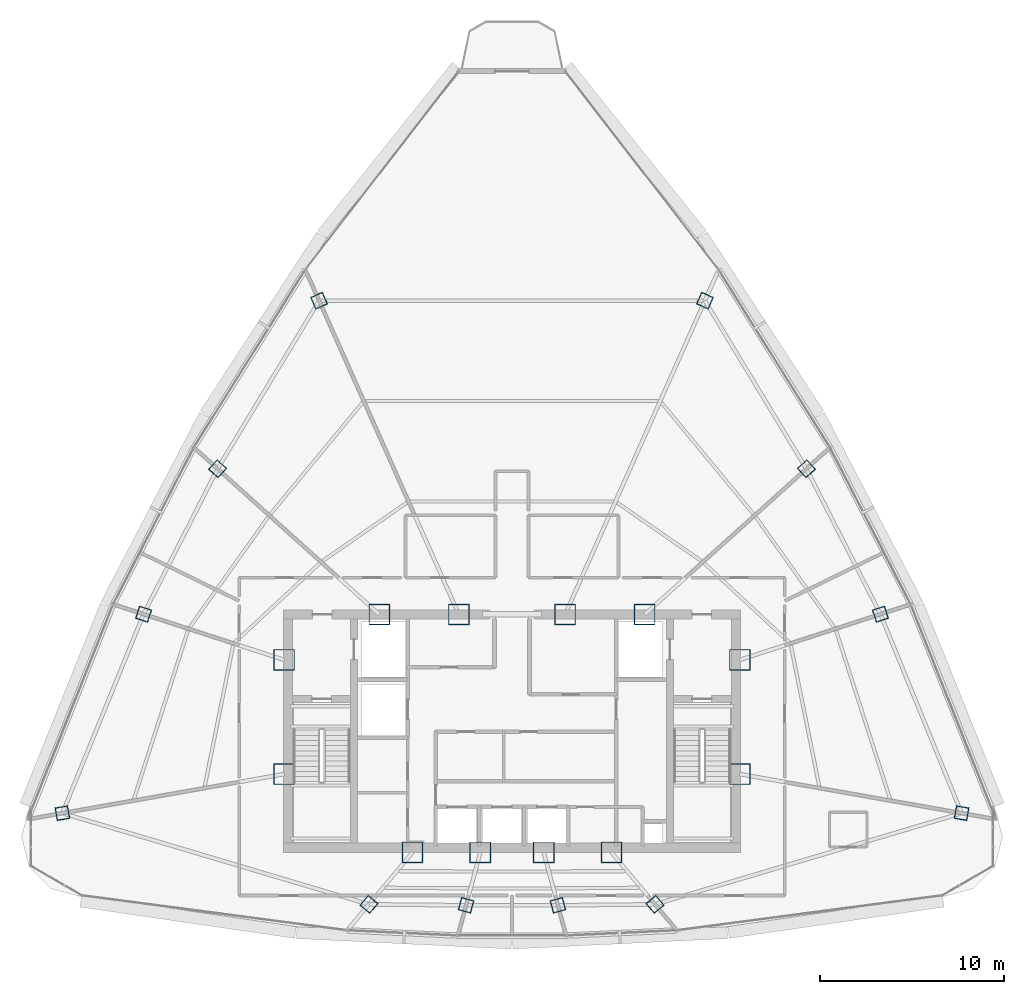
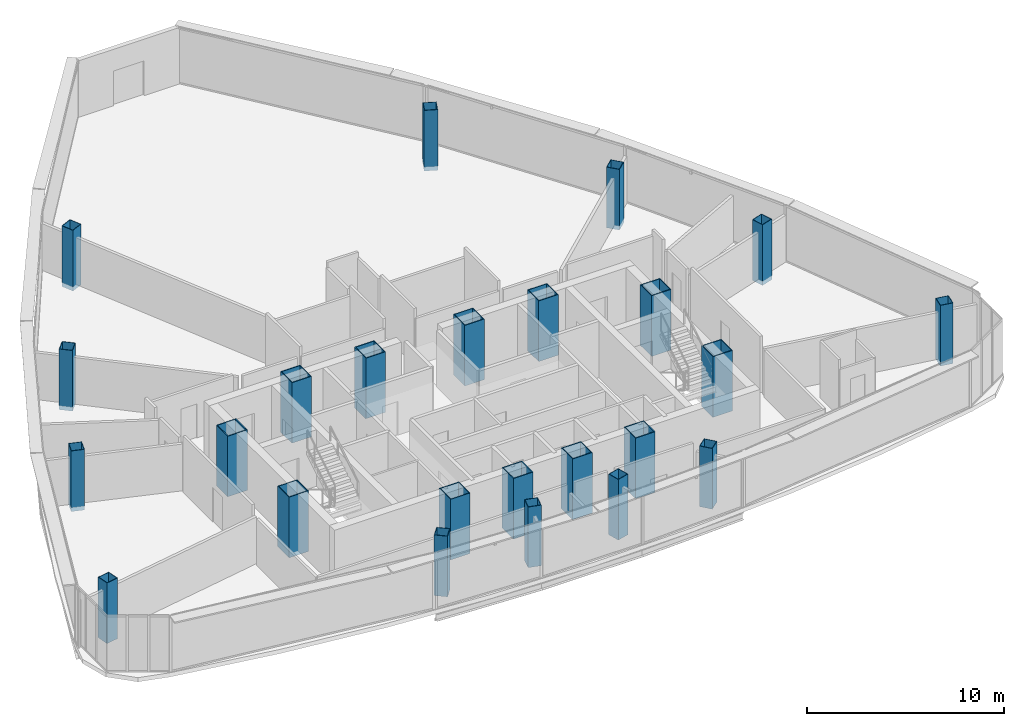
# One storey, part 1 of 29: 24 columns.
"""IFC4 building model written with IfcOpenShell, lengths in metres."""

from ifc_helpers import new_model, si_unit, direction, frame, origin, origin_2d, place, context, subcontext, project, spatial, hollow_rectangle, extrude, source, transform, mapped, material, material_profile, profile_set, type_object, element, save


model = new_model("IFC4")

# Units and contexts
model_context = context("Model", 3, precision=1e-05, world=origin(), true_north=direction((0.0, 1.0)))
body_context = subcontext(model_context, "Body", "Model", "MODEL_VIEW")
ifc_project = project(units=[si_unit("LENGTHUNIT", "METRE"), si_unit("AREAUNIT", "SQUARE_METRE"), si_unit("VOLUMEUNIT", "CUBIC_METRE"), si_unit("PLANEANGLEUNIT", "RADIAN"), si_unit("MASSUNIT", "GRAM", prefix="KILO"), si_unit("THERMODYNAMICTEMPERATUREUNIT", "KELVIN"), si_unit("POWERUNIT", "WATT")], contexts=[model_context])

# Site, building, storey
site_placement = place(None, origin())
site = spatial("IfcSite", under=ifc_project, at=site_placement, CompositionType="ELEMENT")
building_placement = place(site_placement, origin())
building = spatial("IfcBuilding", under=site, at=building_placement, Name="Yunzhuo Pagoda Commons", CompositionType="ELEMENT")
storey_placement = place(building_placement, frame((0.0, 0.0, 359.260009765625)))
storey = spatial("IfcBuildingStorey", under=building, at=storey_placement, Name="L90", CompositionType="ELEMENT", Elevation=359.260009765625)

# Columns
ifc_material_1 = material(Name="Structural steel Q420B", Category="steel")
ifc_material_profile_1 = material_profile(ifc_material_1, hollow_rectangle(XDim=1.14990234375, YDim=1.14990234375, WallThickness=0.048095703125, at=origin_2d()), Name="Structural steel Q420B")
ifc_profile_set_1 = profile_set([ifc_material_profile_1], Name="Structural steel Q420B")
column_type_1 = type_object("IfcColumnType", Name="C-COR Column BOX 1150x1150x48", PredefinedType="COLUMN", material=ifc_profile_set_1)
shared_shape_1 = source(origin(), body_context, "Body", "SweptSolid", [
    extrude(hollow_rectangle(XDim=1.14990234375, YDim=1.14990234375, WallThickness=0.048095703125, at=origin_2d()), origin(), (0.0, 0.0, 1.0), 3.75),
])
for number, where, z_axis, x_axis, name in (
    (1, (42.587890625, 27.25, -0.260009765625), (0.0, 0.0, 1.0), (1.0, 0.0, 0.0), "L90 core composite column F1C1"),
    (2, (46.27197265625, 27.25, -0.260009765625), (0.0, 0.0, 1.0), (1.0, 0.0, 0.0), "L90 core composite column F1C2"),
    (3, (49.728515625, 27.25, -0.260009765625), (0.0, 0.0, 1.0), (1.0, 0.0, 0.0), "L90 core composite column F1C3"),
    (4, (53.412109375, 27.25, -0.260009765625), (0.0, 0.0, 1.0), (1.0, 0.0, 0.0), "L90 core composite column F1C4"),
    (5, (60.39990234375, 31.513427734375, -0.260009765625), (0.0, 0.0, 1.0), (1.0, 0.0, 0.0), "L90 core composite column F2C1"),
    (6, (60.39990234375, 37.72900390625, -0.260009765625), (0.0, 0.0, 1.0), (1.0, 0.0, 0.0), "L90 core composite column F2C2"),
    (7, (55.218994140625, 40.199951171875, -0.260009765625), (0.0, 0.0, 1.0), (1.0, 0.0, 0.0), "L90 core composite column F2C3"),
    (8, (50.89404296875, 40.199951171875, -0.260009765625), (0.0, 0.0, 1.0), (1.0, 0.0, 0.0), "L90 core composite column F2C4"),
    (9, (45.10595703125, 40.199951171875, -0.260009765625), (0.0, 0.0, 1.0), (1.0, 0.0, 0.0), "L90 core composite column F3C1"),
    (10, (40.781005859375, 40.199951171875, -0.260009765625), (0.0, 0.0, 1.0), (1.0, 0.0, 0.0), "L90 core composite column F3C2"),
    (11, (35.60009765625, 37.72900390625, -0.260009765625), (0.0, 0.0, 1.0), (1.0, 0.0, 0.0), "L90 core composite column F3C3"),
    (12, (35.60009765625, 31.513427734375, -0.260009765625), (0.0, 0.0, 1.0), (1.0, 0.0, 0.0), "L90 core composite column F3C4"),
):
    element("IfcColumn", number, at=place(storey_placement, frame(where, z_axis=z_axis, x_axis=x_axis)), inside=storey, type_object=column_type_1, Name=name, PredefinedType="COLUMN", context=body_context, shape_type="MappedRepresentation", body=[
        mapped(shared_shape_1, transform((0.0, 0.0, 0.0), scale=1.0)),
    ])
ifc_material_2 = material(Name="Structural steel Q355B", Category="steel")
ifc_material_profile_2 = material_profile(ifc_material_2, hollow_rectangle(XDim=0.699951171875, YDim=0.699951171875, WallThickness=0.02587890625, at=origin_2d()), Name="Structural steel Q355B")
ifc_profile_set_2 = profile_set([ifc_material_profile_2], Name="Structural steel Q355B")
column_type_2 = type_object("IfcColumnType", Name="C-Z7 Column BOX 700x700x26", PredefinedType="COLUMN", material=ifc_profile_set_2)
shared_shape_2 = source(origin(), body_context, "Body", "SweptSolid", [
    extrude(hollow_rectangle(XDim=0.699951171875, YDim=0.699951171875, WallThickness=0.02587890625, at=origin_2d()), origin(), (0.0, 0.0, 1.0), 3.75),
])
for number, where, z_axis, x_axis, name in (
    (13, (40.214599609375, 24.421630859375, -0.260009765625), (0.0, 0.0, 1.0), (0.766044443119, -0.642787609687, 0.0), "L90 tower column F1C1"),
    (14, (45.500732421875, 24.372802734375, -0.260009765625), (0.0, 0.0, 1.0), (0.965925826289, -0.258819045103, 0.0), "L90 tower column F1C2"),
    (15, (50.499267578125, 24.372802734375, -0.260009765625), (0.0, 0.0, 1.0), (0.965925826289, 0.258819045103, 0.0), "L90 tower column F1C3"),
    (16, (55.785400390625, 24.421630859375, -0.260009765625), (0.0, 0.0, 1.0), (0.766044443119, 0.642787609687, 0.0), "L90 tower column F1C4"),
    (17, (72.47021484375, 29.38525390625, -0.260009765625), (0.0, 0.0, 1.0), (0.173648177667, 0.984807753012, 0.0), "L90 tower column F2C1"),
    (18, (68.053466796875, 40.2158203125, -0.260009765625), (0.0, 0.0, 1.0), (-0.309016994375, 0.951056516295, 0.0), "L90 tower column F2C2"),
    (19, (64.024658203125, 48.128662109375, -0.260009765625), (0.0, 0.0, 1.0), (-0.669130606359, 0.743144825477, 0.0), "L90 tower column F2C3"),
    (20, (58.498779296875, 57.281005859375, -0.260009765625), (0.0, 0.0, 1.0), (-0.913545457643, 0.406736643076, 0.0), "L90 tower column F2C4"),
    (21, (37.501220703125, 57.281005859375, -0.260009765625), (0.0, 0.0, 1.0), (-0.913545457643, -0.406736643076, 0.0), "L90 tower column F3C1"),
    (22, (31.975341796875, 48.128662109375, -0.260009765625), (0.0, 0.0, 1.0), (-0.669130606359, -0.743144825477, 0.0), "L90 tower column F3C2"),
    (23, (27.946533203125, 40.2158203125, -0.260009765625), (0.0, 0.0, 1.0), (-0.309016994375, -0.951056516295, 0.0), "L90 tower column F3C3"),
    (24, (23.52978515625, 29.38525390625, -0.260009765625), (0.0, 0.0, 1.0), (0.173648177667, -0.984807753012, 0.0), "L90 tower column F3C4"),
):
    element("IfcColumn", number, at=place(storey_placement, frame(where, z_axis=z_axis, x_axis=x_axis)), inside=storey, type_object=column_type_2, Name=name, PredefinedType="COLUMN", context=body_context, shape_type="MappedRepresentation", body=[
        mapped(shared_shape_2, transform((0.0, 0.0, 0.0), scale=1.0)),
    ])

save(model, "model.ifc")
